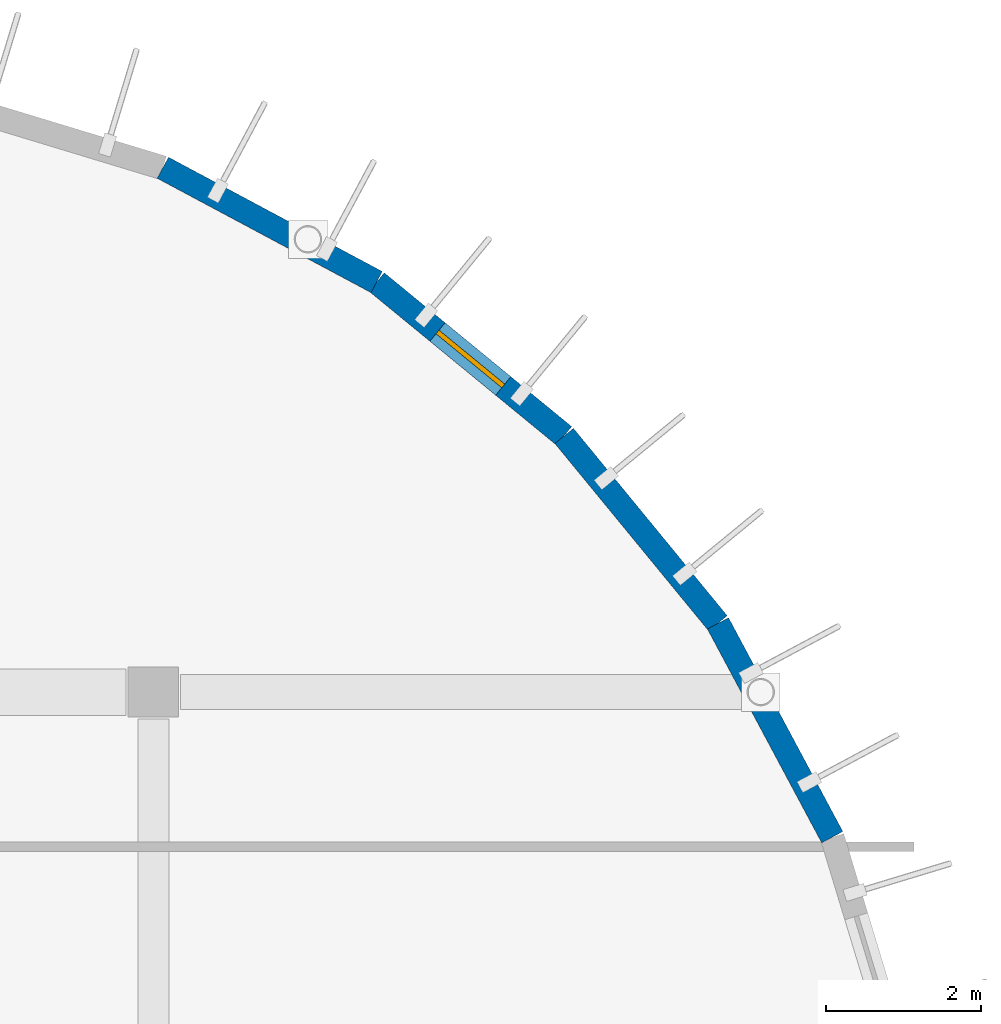
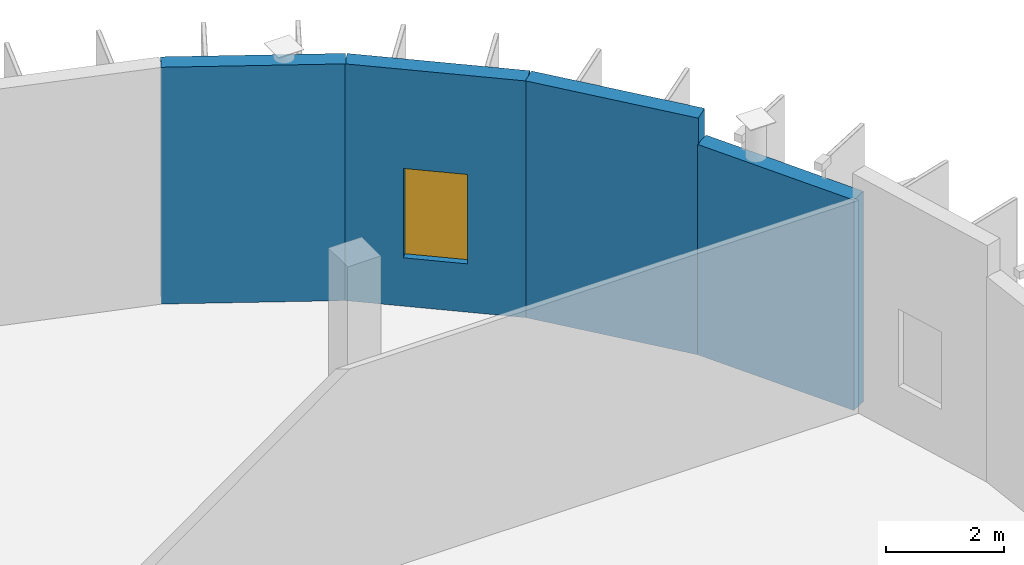
# One storey, part 84 of 103: 4 walls, 1 window, 1 opening.
"""IFC4 building model written with IfcOpenShell, lengths in metres."""

from ifc_helpers import new_model, si_unit, direction, frame, frame_2d, origin, place, context, subcontext, project, spatial, rectangle, extrude, material, layer, layer_set, type_object, element, fill, save


model = new_model("IFC4")

# Units and contexts
model_context = context("Model", 3, precision=1e-05, world=origin(), true_north=direction((0.0, 1.0)))
body_context = subcontext(model_context, "Body", "Model", "MODEL_VIEW")
ifc_project = project(units=[si_unit("LENGTHUNIT", "METRE"), si_unit("AREAUNIT", "SQUARE_METRE"), si_unit("VOLUMEUNIT", "CUBIC_METRE"), si_unit("PLANEANGLEUNIT", "RADIAN"), si_unit("MASSUNIT", "GRAM", prefix="KILO")], contexts=[model_context])

# Site, building, storey
site_placement = place(None, origin())
site = spatial("IfcSite", under=ifc_project, at=site_placement, CompositionType="ELEMENT")
building_placement = place(site_placement, origin())
building = spatial("IfcBuilding", under=site, at=building_placement, Name="Drelvana Railside Aquatics Centre", CompositionType="ELEMENT")
storey_placement = place(building_placement, origin())
storey = spatial("IfcBuildingStorey", under=building, at=storey_placement, Name="L00", CompositionType="ELEMENT", Elevation=0.0)

# Walls
ifc_material_1 = material(Name="Terracotta rainscreen masonry wall", Category="masonry")
ifc_layer = layer(ifc_material_1, 0.31005859375, Name="Terracotta rainscreen masonry wall")
ifc_layer_set = layer_set([ifc_layer], Name="Terracotta rainscreen masonry wall")
wall_type = type_object("IfcWallType", Name="WL-EXT-310", PredefinedType="STANDARD", material=ifc_layer_set)
wall_1_placement = place(storey_placement, frame((182.781982421875, 94.123046875, 0.0), z_axis=(0.0, 0.0, 1.0), x_axis=(-0.471396060548, 0.881921625826, 0.0)))
element("IfcWall", 1, at=wall_1_placement, inside=storey, type_object=wall_type, Name="V5NE curved wall 3", PredefinedType="STANDARD", context=body_context, shape_type="SweptSolid", body=[
    extrude(rectangle(XDim=3.136474609375, YDim=0.31005859375, at=frame_2d((1.568359375, 0.0))), origin(), (0.0, 0.0, 1.0), 4.35498046875),
])
wall_2_placement = place(storey_placement, frame((181.303466796875, 96.88916015625, 0.0), z_axis=(0.0, 0.0, 1.0), x_axis=(-0.634385792339, 0.773016601683, 0.0)))
element("IfcWall", 2, at=wall_2_placement, inside=storey, type_object=wall_type, Name="V5NE curved wall 4", PredefinedType="STANDARD", context=body_context, shape_type="SweptSolid", body=[
    extrude(rectangle(XDim=3.136474609375, YDim=0.31005859375, at=frame_2d((1.568359375, 0.0))), origin(), (0.0, 0.0, 1.0), 4.89990234375),
])

# Wall, opening, window
wall_3_placement = place(storey_placement, frame((179.313720703125, 99.313720703125, 0.0), z_axis=(0.0, 0.0, 1.0), x_axis=(-0.773016601683, 0.634385792339, 0.0)))
wall_3 = element("IfcWall", 3, at=wall_3_placement, inside=storey, type_object=wall_type, Name="V5NE curved wall 5", PredefinedType="STANDARD", context=body_context, shape_type="SweptSolid", body=[
    extrude(rectangle(XDim=3.136474609375, YDim=0.31005859375, at=frame_2d((1.568359375, 0.0))), origin(), (0.0, 0.0, 1.0), 4.89990234375),
])
opening_placement = place(wall_3_placement, frame((1.018310546875, 0.0, 1.0)))
opening = element("IfcOpeningElement", 4, at=opening_placement, cuts=wall_3, Name="Opening W-07", PredefinedType="OPENING", context=body_context, shape_type="SweptSolid", body=[
    extrude(rectangle(XDim=1.10009765625, YDim=1.85009765625, at=frame_2d((0.550048828125, 0.925048828125))), frame((0.0, 0.1650390625, 0.0), z_axis=(0.0, -1.0, 0.0), x_axis=(1.0, 0.0, 0.0)), (0.0, 0.0, 1.0), 0.330078125),
])
ifc_material_2 = material(Name="Double-glazed solar-control aluminium window", Category="aluminium")
window_type = type_object("IfcWindowType", Name="WIN-07", PartitioningType="SINGLE_PANEL", PredefinedType="WINDOW", material=ifc_material_2)
window_placement = place(opening_placement, origin())
window = element("IfcWindow", 5, at=window_placement, inside=storey, type_object=window_type, Name="V5NE curved window WIN-07", OverallHeight=1.85009765625, OverallWidth=1.10009765625, PartitioningType="SINGLE_PANEL", PredefinedType="WINDOW", context=body_context, shape_type="SweptSolid", body=[
    extrude(rectangle(XDim=1.10009765625, YDim=1.85009765625, at=frame_2d((0.550048828125, 0.925048828125))), frame((0.0, 0.030029296875, 0.0), z_axis=(0.0, -1.0, 0.0), x_axis=(1.0, 0.0, 0.0)), (0.0, 0.0, 1.0), 0.06005859375),
])
fill(opening, window)

# Wall
wall_4_placement = place(storey_placement, frame((176.88916015625, 101.303466796875, 0.0), z_axis=(0.0, 0.0, 1.0), x_axis=(-0.881921625826, 0.471396060548, 0.0)))
element("IfcWall", 6, at=wall_4_placement, inside=storey, type_object=wall_type, Name="V5NE curved wall 6", PredefinedType="STANDARD", context=body_context, shape_type="SweptSolid", body=[
    extrude(rectangle(XDim=3.136474609375, YDim=0.31005859375, at=frame_2d((1.568359375, 0.0))), origin(), (0.0, 0.0, 1.0), 4.89990234375),
])

save(model, "model.ifc")
